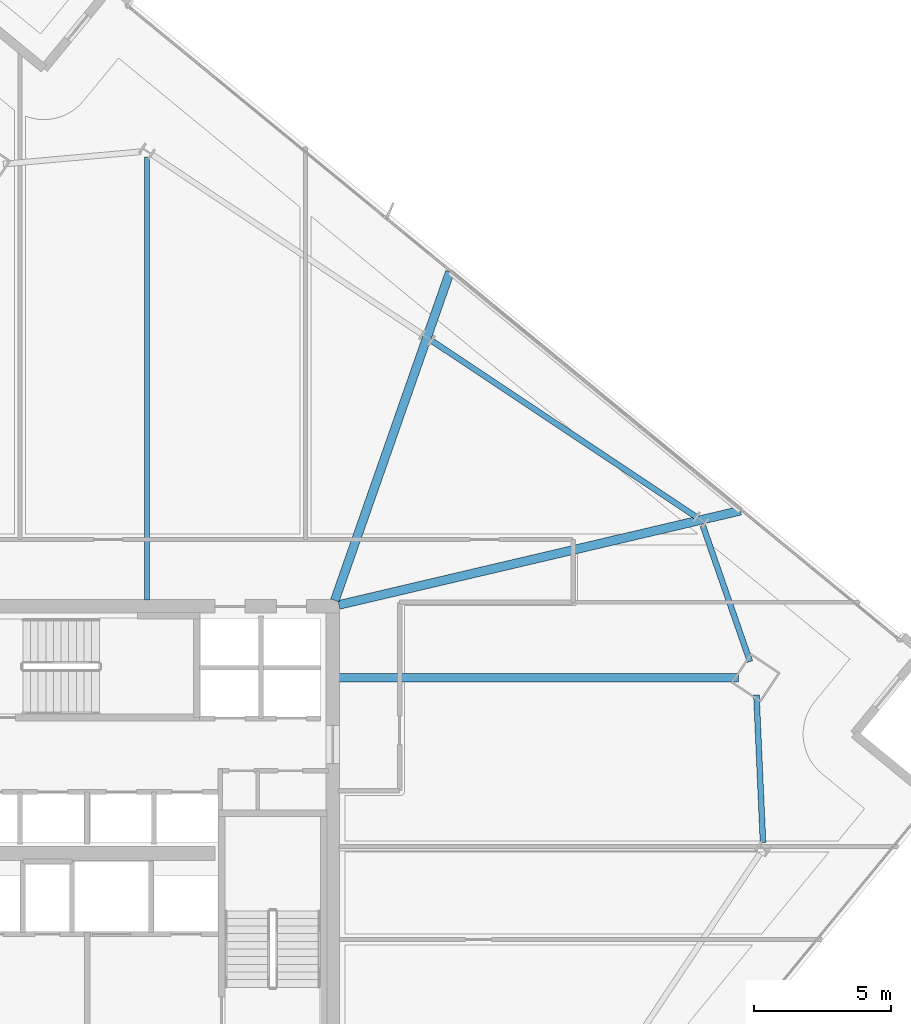
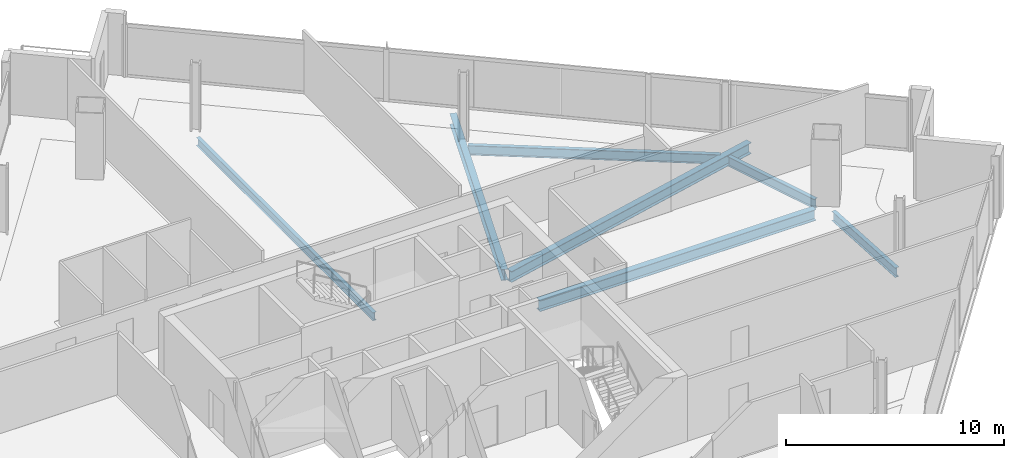
# One storey, part 16 of 28: 7 beams.
"""IFC4 building model written with IfcOpenShell, lengths in metres."""

from ifc_helpers import new_model, si_unit, direction, frame, origin, origin_2d, place, context, subcontext, project, spatial, i_section, extrude, material, material_profile, profile_set, type_object, element, save


model = new_model("IFC4")

# Units and contexts
model_context = context("Model", 3, precision=1e-05, world=origin(), true_north=direction((0.0, 1.0)))
body_context = subcontext(model_context, "Body", "Model", "MODEL_VIEW")
ifc_project = project(units=[si_unit("LENGTHUNIT", "METRE"), si_unit("AREAUNIT", "SQUARE_METRE"), si_unit("VOLUMEUNIT", "CUBIC_METRE"), si_unit("PLANEANGLEUNIT", "RADIAN"), si_unit("MASSUNIT", "GRAM", prefix="KILO")], contexts=[model_context])

# Site, building, storey
site_placement = place(None, origin())
site = spatial("IfcSite", under=ifc_project, at=site_placement, CompositionType="ELEMENT")
building_placement = place(site_placement, origin())
building = spatial("IfcBuilding", under=site, at=building_placement, Name="Haldenkirk Collegiate Tower", CompositionType="ELEMENT")
storey_placement = place(building_placement, frame((0.0, 0.0, 198.449951171875)))
storey = spatial("IfcBuildingStorey", under=building, at=storey_placement, Name="L49", CompositionType="ELEMENT", Elevation=198.449951171875)

# Beams
ifc_material = material(Name="Steel ASTM A992 Grade 50", Category="steel")
ifc_material_profile_1 = material_profile(ifc_material, i_section(OverallWidth=0.324951171875, OverallDepth=0.615966796875, WebThickness=0.013916015625, FlangeThickness=0.021484375, at=origin_2d()), Name="W24X117")
ifc_profile_set_1 = profile_set([ifc_material_profile_1], Name="Steel ASTM A992 Grade 50")
beam_type_1 = type_object("IfcBeamType", Name="BM-GIRDER-W24X117", PredefinedType="BEAM", material=ifc_profile_set_1)
beam_1_placement = place(storey_placement, frame((59.856201171875, 31.3837890625, -0.587890625), z_axis=(-1.0, 0.0, 0.0), x_axis=(0.0, -1.0, 0.0)))
element("IfcBeam", 1, at=beam_1_placement, inside=storey, type_object=beam_type_1, Name="L49 primary floor girder 02", PredefinedType="BEAM", context=body_context, shape_type="SweptSolid", body=[
    extrude(i_section(OverallWidth=0.324951171875, OverallDepth=0.615966796875, WebThickness=0.013916015625, FlangeThickness=0.021484375, at=origin_2d()), origin(), (0.0, 0.0, 1.0), 14.626220703125),
])
beam_2_placement = place(storey_placement, frame((59.93212890625, 37.50390625, -0.587890625), z_axis=(-0.973554960436, -0.22845292515, 0.0), x_axis=(0.22845292515, -0.973554960436, 0.0)))
element("IfcBeam", 2, at=beam_2_placement, inside=storey, type_object=beam_type_1, Name="L49 primary floor girder 08", PredefinedType="BEAM", context=body_context, shape_type="SweptSolid", body=[
    extrude(i_section(OverallWidth=0.324951171875, OverallDepth=0.615966796875, WebThickness=0.013916015625, FlangeThickness=0.021484375, at=origin_2d()), origin(), (0.0, 0.0, 1.0), 15.107666015625),
])
beam_3_placement = place(storey_placement, frame((49.28955078125, 46.24609375, -0.587890625), z_axis=(-0.330591874719, -0.9437738142, 0.0), x_axis=(0.9437738142, -0.330591874719, 0.0)))
element("IfcBeam", 3, at=beam_3_placement, inside=storey, type_object=beam_type_1, Name="L49 primary floor girder 09", PredefinedType="BEAM", context=body_context, shape_type="SweptSolid", body=[
    extrude(i_section(OverallWidth=0.324951171875, OverallDepth=0.615966796875, WebThickness=0.013916015625, FlangeThickness=0.021484375, at=origin_2d()), origin(), (0.0, 0.0, 1.0), 12.74560546875),
])
ifc_material_profile_2 = material_profile(ifc_material, i_section(OverallWidth=0.18994140625, OverallDepth=0.45703125, WebThickness=0.009033203125, FlangeThickness=0.014404296875, at=origin_2d()), Name="W18X50")
ifc_profile_set_2 = profile_set([ifc_material_profile_2], Name="Steel ASTM A992 Grade 50")
beam_type_2 = type_object("IfcBeamType", Name="BM-JOIST-W18X50", PredefinedType="JOIST", material=ifc_profile_set_2)
beam_4_placement = place(storey_placement, frame((38.192626953125, 50.451416015625, -0.508544921875), z_axis=(0.0, -1.0, 0.0), x_axis=(1.0, 0.0, 0.0)))
element("IfcBeam", 4, at=beam_4_placement, inside=storey, type_object=beam_type_2, Name="L49 composite floor joist 10", PredefinedType="JOIST", context=body_context, shape_type="SweptSolid", body=[
    extrude(i_section(OverallWidth=0.18994140625, OverallDepth=0.45703125, WebThickness=0.009033203125, FlangeThickness=0.014404296875, at=origin_2d()), origin(), (0.0, 0.0, 1.0), 16.221435546875),
])
ifc_material_profile_3 = material_profile(ifc_material, i_section(OverallWidth=0.2099609375, OverallDepth=0.537109375, WebThickness=0.010986328125, FlangeThickness=0.017333984375, at=origin_2d()), Name="W21X68")
ifc_profile_set_3 = profile_set([ifc_material_profile_3], Name="Steel ASTM A992 Grade 50")
beam_type_3 = type_object("IfcBeamType", Name="BM-SPANDREL-W21X68", PredefinedType="SPANDREL", material=ifc_profile_set_3)
beam_5_placement = place(storey_placement, frame((60.756103515625, 25.34326171875, -0.54833984375), z_axis=(-0.044622535616, 0.999003918569, 0.0), x_axis=(-0.999003918569, -0.044622535616, 0.0)))
element("IfcBeam", 5, at=beam_5_placement, inside=storey, type_object=beam_type_3, Name="L49 perimeter spandrel beam 04", PredefinedType="SPANDREL", context=body_context, shape_type="SweptSolid", body=[
    extrude(i_section(OverallWidth=0.2099609375, OverallDepth=0.537109375, WebThickness=0.010986328125, FlangeThickness=0.017333984375, at=origin_2d()), origin(), (0.0, 0.0, 1.0), 5.41650390625),
])
beam_6_placement = place(storey_placement, frame((60.27978515625, 31.97900390625, -0.54833984375), z_axis=(-0.327807295579, 0.944744609387, 0.0), x_axis=(-0.944744609387, -0.327807295579, 0.0)))
element("IfcBeam", 6, at=beam_6_placement, inside=storey, type_object=beam_type_3, Name="L49 perimeter spandrel beam 05", PredefinedType="SPANDREL", context=body_context, shape_type="SweptSolid", body=[
    extrude(i_section(OverallWidth=0.2099609375, OverallDepth=0.537109375, WebThickness=0.010986328125, FlangeThickness=0.017333984375, at=origin_2d()), origin(), (0.0, 0.0, 1.0), 5.270751953125),
])
beam_7_placement = place(storey_placement, frame((58.30029296875, 37.28369140625, -0.54833984375), z_axis=(-0.832431545828, 0.554127892738, 0.0), x_axis=(-0.554127892738, -0.832431545828, 0.0)))
element("IfcBeam", 7, at=beam_7_placement, inside=storey, type_object=beam_type_3, Name="L49 perimeter spandrel beam 06", PredefinedType="SPANDREL", context=body_context, shape_type="SweptSolid", body=[
    extrude(i_section(OverallWidth=0.2099609375, OverallDepth=0.537109375, WebThickness=0.010986328125, FlangeThickness=0.017333984375, at=origin_2d()), origin(), (0.0, 0.0, 1.0), 11.619140625),
])

save(model, "model.ifc")
